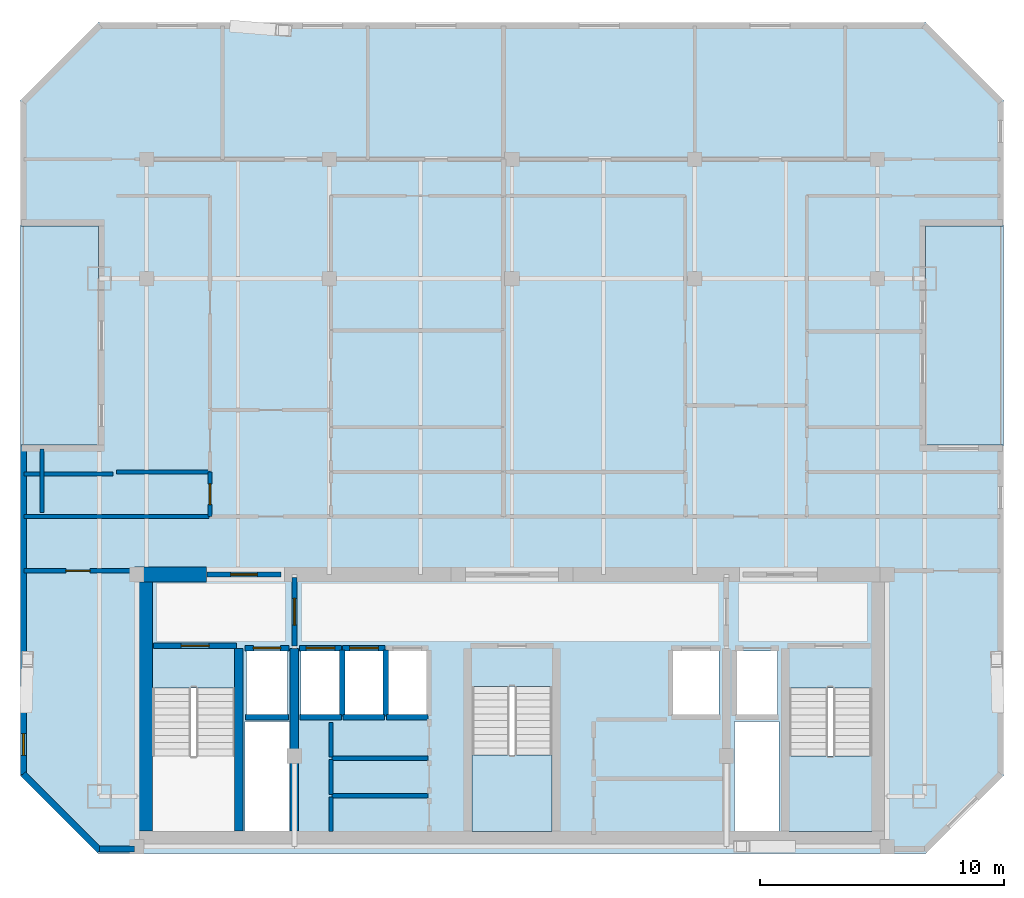
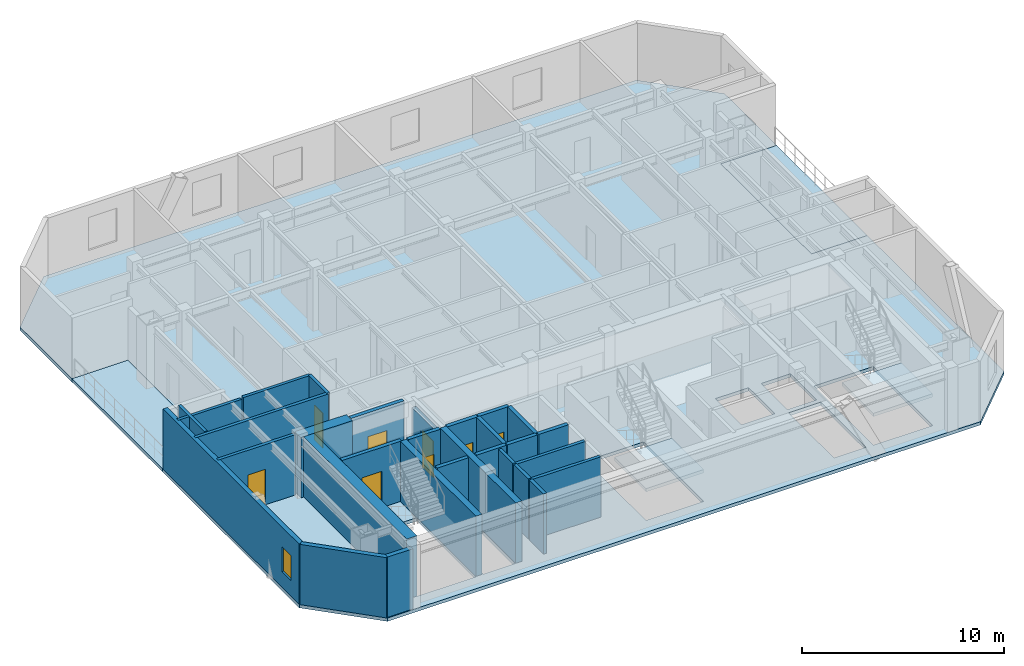
# One storey, part 2 of 7: 30 walls, 8 doors, 5 slabs, 1 window, 9 openings, 2 elements without a shape of their own.
"""IFC4 building model written with IfcOpenShell, lengths in metres."""

from ifc_helpers import new_model, si_unit, direction, frame, frame_2d, origin, place, context, subcontext, project, spatial, polyline, rectangle, outline, extrude, material, layer, layer_set, type_object, element, fill, aggregate, save


model = new_model("IFC4")

# Units and contexts
model_context = context("Model", 3, precision=1e-05, world=origin(), true_north=direction((0.0, 1.0)))
body_context = subcontext(model_context, "Body", "Model", "MODEL_VIEW")
ifc_project = project(units=[si_unit("LENGTHUNIT", "METRE"), si_unit("AREAUNIT", "SQUARE_METRE"), si_unit("VOLUMEUNIT", "CUBIC_METRE"), si_unit("PLANEANGLEUNIT", "RADIAN"), si_unit("MASSUNIT", "GRAM", prefix="KILO")], contexts=[model_context])

# Site, building, storey
site_placement = place(None, origin())
site = spatial("IfcSite", under=ifc_project, at=site_placement, CompositionType="ELEMENT")
building_placement = place(site_placement, origin())
building = spatial("IfcBuilding", under=site, at=building_placement, Name="Ventersveld Concourse Tower", CompositionType="ELEMENT")
storey_placement = place(building_placement, frame((0.0, 0.0, 292.60009765625)))
storey = spatial("IfcBuildingStorey", under=building, at=storey_placement, Name="L72", CompositionType="ELEMENT", Elevation=292.60009765625)

# Slabs
ifc_material_1 = material(Name="Concrete C50/60", Category="concrete")
ifc_layer_1 = layer(ifc_material_1, 0.199951171875)
ifc_layer_set_1 = layer_set([ifc_layer_1], Name="Concrete C50/60")
slab_type_1 = type_object("IfcSlabType", Name="SL-FLR-200", PredefinedType="FLOOR", material=ifc_layer_set_1)
slab_1_placement = place(storey_placement, frame((0.0, 0.0, -0.2001953125)))
element("IfcSlab", 1, at=slab_1_placement, inside=storey, type_object=slab_type_1, Name="L72 Composite Floor Slab", PredefinedType="FLOOR", context=body_context, shape_type="SweptSolid", body=[
    extrude(outline(polyline([(11.766357421875, 0.0), (45.733642578125, 0.0), (48.93359375, 3.199951171875), (48.93359375, 16.7578125), (45.733642578125, 16.7578125), (45.733642578125, 25.7578125), (48.93359375, 25.7578125), (48.93359375, 30.91552734375), (45.733642578125, 34.115478515625), (11.766357421875, 34.115478515625), (8.56640625, 30.91552734375), (8.56640625, 25.7578125), (11.766357421875, 25.7578125), (11.766357421875, 16.7578125), (8.56640625, 16.7578125), (8.56640625, 3.199951171875), (11.766357421875, 0.0)]), holes=[polyline([(13.97998046875, 6.794921875), (13.97998046875, 0.89990234375), (17.3798828125, 0.89990234375), (17.3798828125, 6.794921875), (13.97998046875, 6.794921875)]), polyline([(40.1201171875, 6.794921875), (40.1201171875, 0.89990234375), (43.52001953125, 0.89990234375), (43.52001953125, 6.794921875), (40.1201171875, 6.794921875)]), polyline([(27.10009765625, 6.844970703125), (27.10009765625, 0.89990234375), (30.39990234375, 0.89990234375), (30.39990234375, 6.844970703125), (27.10009765625, 6.844970703125)]), polyline([(17.85009765625, 5.699951171875), (19.530029296875, 5.699951171875), (19.530029296875, 8.300048828125), (17.85009765625, 8.300048828125), (17.85009765625, 5.699951171875)]), polyline([(37.969970703125, 5.699951171875), (39.64990234375, 5.699951171875), (39.64990234375, 8.300048828125), (37.969970703125, 8.300048828125), (37.969970703125, 5.699951171875)]), polyline([(35.35009765625, 5.699951171875), (37.25, 5.699951171875), (37.25, 8.300048828125), (35.35009765625, 8.300048828125), (35.35009765625, 5.699951171875)]), polyline([(20.090087890625, 5.699951171875), (21.68994140625, 5.699951171875), (21.68994140625, 8.300048828125), (20.090087890625, 8.300048828125), (20.090087890625, 5.699951171875)]), polyline([(21.8701171875, 5.699951171875), (23.469970703125, 5.699951171875), (23.469970703125, 8.300048828125), (21.8701171875, 8.300048828125), (21.8701171875, 5.699951171875)]), polyline([(23.64990234375, 5.699951171875), (25.25, 5.699951171875), (25.25, 8.300048828125), (23.64990234375, 8.300048828125), (23.64990234375, 5.699951171875)]), polyline([(17.780029296875, 0.919921875), (19.6201171875, 0.919921875), (19.6201171875, 5.419921875), (17.780029296875, 5.419921875), (17.780029296875, 0.919921875)]), polyline([(37.8798828125, 0.919921875), (39.719970703125, 0.919921875), (39.719970703125, 5.419921875), (37.8798828125, 5.419921875), (37.8798828125, 0.919921875)])]), origin(), (0.0, 0.0, 1.0), 0.2001953125),
])
slab_2_placement = place(storey_placement, frame((0.0, 0.0, -0.2001953125)))
element("IfcSlab", 2, at=slab_2_placement, inside=storey, type_object=slab_type_1, Name="L72 Outdoor Terrace Slab NOTCH-W", PredefinedType="FLOOR", context=body_context, shape_type="SweptSolid", body=[
    extrude(outline(polyline([(8.56640625, 16.7578125), (11.766357421875, 16.7578125), (11.766357421875, 25.7578125), (8.56640625, 25.7578125), (8.56640625, 16.7578125)])), origin(), (0.0, 0.0, 1.0), 0.2001953125),
])
slab_3_placement = place(storey_placement, frame((0.0, 0.0, -0.2001953125)))
element("IfcSlab", 3, at=slab_3_placement, inside=storey, type_object=slab_type_1, Name="L72 Outdoor Terrace Slab NOTCH-E", PredefinedType="FLOOR", context=body_context, shape_type="SweptSolid", body=[
    extrude(outline(polyline([(45.733642578125, 16.7578125), (48.93359375, 16.7578125), (48.93359375, 25.7578125), (45.733642578125, 25.7578125), (45.733642578125, 16.7578125)])), origin(), (0.0, 0.0, 1.0), 0.2001953125),
])

# Stair, slab
stair_type_1 = type_object("IfcStairType", Name="ST-DOG-160", PredefinedType="HALF_TURN_STAIR", material=ifc_material_1)
stair_1_placement = place(storey_placement, origin())
stair_1 = element("IfcStair", 4, at=stair_1_placement, inside=storey, type_object=stair_type_1, Name="L72 Protected Tower Escape Stair ST-02", PredefinedType="HALF_TURN_STAIR")
ifc_layer_2 = layer(ifc_material_1, 0.199951171875)
ifc_layer_set_2 = layer_set([ifc_layer_2], Name="Concrete C50/60")
slab_type_2 = type_object("IfcSlabType", Name="SL-LND-200", PredefinedType="LANDING", material=ifc_layer_set_2)
slab_4_placement = place(storey_placement, frame((0.0, 0.0, 1.724853515625)))
slab_4 = element("IfcSlab", 5, at=slab_4_placement, type_object=slab_type_2, Name="ST-02 landing 1", PredefinedType="LANDING", context=body_context, shape_type="SweptSolid", body=[
    extrude(outline(polyline([(40.1201171875, 4.0), (40.1201171875, 0.89990234375), (43.52001953125, 0.89990234375), (43.52001953125, 4.0), (40.1201171875, 4.0)])), origin(), (0.0, 0.0, 1.0), 0.199951171875),
])
aggregate(stair_1, [slab_4])

stair_type_2 = type_object("IfcStairType", Name="ST-DOG-155", PredefinedType="HALF_TURN_STAIR", material=ifc_material_1)
stair_2_placement = place(storey_placement, origin())
stair_2 = element("IfcStair", 6, at=stair_2_placement, inside=storey, type_object=stair_type_2, Name="L72 Protected Central Core Escape Stair ST-03", PredefinedType="HALF_TURN_STAIR")
slab_5_placement = place(storey_placement, frame((0.0, 0.0, 1.724853515625)))
slab_5 = element("IfcSlab", 7, at=slab_5_placement, type_object=slab_type_2, Name="ST-03 landing 1", PredefinedType="LANDING", context=body_context, shape_type="SweptSolid", body=[
    extrude(outline(polyline([(27.10009765625, 4.050048828125), (27.10009765625, 0.89990234375), (30.39990234375, 0.89990234375), (30.39990234375, 4.050048828125), (27.10009765625, 4.050048828125)])), origin(), (0.0, 0.0, 1.0), 0.199951171875),
])
aggregate(stair_2, [slab_5])

# Walls
ifc_layer_3 = layer(ifc_material_1, 0.35009765625)
ifc_layer_set_3 = layer_set([ifc_layer_3], Name="Concrete C50/60")
wall_type_1 = type_object("IfcWallType", Name="WL-CORE-350U", PredefinedType="SHEAR", material=ifc_layer_set_3)
for number, where, z_axis, x_axis, name in (
    (8, (17.5400390625, 0.919921875, 0.0), (0.0, 0.0, 1.0), (0.0, 1.0, 0.0), "L72 Core Internal Shear Web W-ST1-E"),
    (9, (19.820068359375, 0.919921875, 0.0), (0.0, 0.0, 1.0), (0.0, 1.0, 0.0), "L72 Core Internal Shear Web W-FF1-E"),
):
    element("IfcWall", number, at=place(storey_placement, frame(where, z_axis=z_axis, x_axis=x_axis)), inside=storey, type_object=wall_type_1, Name=name, PredefinedType="SHEAR", context=body_context, shape_type="SweptSolid", body=[
        extrude(rectangle(XDim=7.5, YDim=0.35009765625, at=frame_2d((3.75, 0.0))), origin(), (0.0, 0.0, 1.0), 3.64990234375),
    ])
ifc_layer_4 = layer(ifc_material_1, 0.60009765625)
ifc_layer_set_4 = layer_set([ifc_layer_4], Name="Concrete C50/60")
wall_type_2 = type_object("IfcWallType", Name="WL-CORE-600", PredefinedType="SHEAR", material=ifc_layer_set_4)
wall_1_placement = place(storey_placement, frame((13.699951171875, 0.919921875, 0.0), z_axis=(0.0, 0.0, 1.0), x_axis=(0.0, 1.0, 0.0)))
element("IfcWall", 10, at=wall_1_placement, inside=storey, type_object=wall_type_2, Name="L72 Rear Core West Shear Wall", PredefinedType="SHEAR", context=body_context, shape_type="SweptSolid", body=[
    extrude(rectangle(XDim=10.530029296875, YDim=0.60009765625, at=frame_2d((5.26513671875, 0.0))), origin(), (0.0, 0.0, 1.0), 3.64990234375),
])
wall_2_placement = place(storey_placement, frame((13.25, 11.449951171875, 0.0), z_axis=(0.0, 0.0, 1.0), x_axis=(1.0, 0.0, 0.0)))
element("IfcWall", 11, at=wall_2_placement, inside=storey, type_object=wall_type_2, Name="L72 Rear Core North Shear Wall NW", PredefinedType="SHEAR", context=body_context, shape_type="SweptSolid", body=[
    extrude(rectangle(XDim=2.949951171875, YDim=0.60009765625, at=frame_2d((1.47509765625, 0.0))), origin(), (0.0, 0.0, 1.0), 3.64990234375),
])
ifc_material_2 = material(Name="Fire-rated autoclaved aerated masonry blockwork", Category="masonry")
ifc_layer_5 = layer(ifc_material_2, 0.179931640625)
ifc_layer_set_5 = layer_set([ifc_layer_5], Name="Fire-rated autoclaved aerated masonry blockwork")
wall_type_3 = type_object("IfcWallType", Name="WL-CORR-180", PredefinedType="PARTITIONING", material=ifc_layer_set_5)
wall_3_placement = place(storey_placement, frame((21.360107421875, 2.360107421875, 0.0), z_axis=(0.0, 0.0, 1.0), x_axis=(1.0, 0.0, 0.0)))
element("IfcWall", 12, at=wall_3_placement, inside=storey, type_object=wall_type_3, Name="L72 Core Top Wall SP-L72-RECB1S", PredefinedType="PARTITIONING", context=body_context, shape_type="SweptSolid", body=[
    extrude(rectangle(XDim=3.93994140625, YDim=0.179931640625, at=frame_2d((1.969970703125, 0.0))), origin(), (0.0, 0.0, 1.0), 3.64990234375),
])
wall_4_placement = place(storey_placement, frame((21.320068359375, 0.909912109375, 0.0), z_axis=(0.0, 0.0, 1.0), x_axis=(0.0, 1.0, 0.0)))
element("IfcWall", 13, at=wall_4_placement, inside=storey, type_object=wall_type_3, Name="L72 Core West Wall SP-L72-RECB1S", PredefinedType="PARTITIONING", context=body_context, shape_type="SweptSolid", body=[
    extrude(rectangle(XDim=1.41015625, YDim=0.179931640625, at=frame_2d((0.705078125, 0.0))), origin(), (0.0, 0.0, 1.0), 3.64990234375),
])
wall_5_placement = place(storey_placement, frame((21.360107421875, 3.89990234375, 0.0), z_axis=(0.0, 0.0, 1.0), x_axis=(1.0, 0.0, 0.0)))
element("IfcWall", 14, at=wall_5_placement, inside=storey, type_object=wall_type_3, Name="L72 Core Top Wall SP-L72-RECB1M", PredefinedType="PARTITIONING", context=body_context, shape_type="SweptSolid", body=[
    extrude(rectangle(XDim=3.93994140625, YDim=0.179931640625, at=frame_2d((1.969970703125, 0.0))), origin(), (0.0, 0.0, 1.0), 3.64990234375),
])
wall_6_placement = place(storey_placement, frame((21.320068359375, 2.419921875, 0.0), z_axis=(0.0, 0.0, 1.0), x_axis=(0.0, 1.0, 0.0)))
element("IfcWall", 15, at=wall_6_placement, inside=storey, type_object=wall_type_3, Name="L72 Core West Wall SP-L72-RECB1M", PredefinedType="PARTITIONING", context=body_context, shape_type="SweptSolid", body=[
    extrude(rectangle(XDim=1.440185546875, YDim=0.179931640625, at=frame_2d((0.72021484375, 0.0))), origin(), (0.0, 0.0, 1.0), 3.64990234375),
])
wall_7_placement = place(storey_placement, frame((21.320068359375, 3.9599609375, 0.0), z_axis=(0.0, 0.0, 1.0), x_axis=(0.0, 1.0, 0.0)))
element("IfcWall", 16, at=wall_7_placement, inside=storey, type_object=wall_type_3, Name="L72 Core West Wall SP-L72-RECB1N", PredefinedType="PARTITIONING", context=body_context, shape_type="SweptSolid", body=[
    extrude(rectangle(XDim=1.419921875, YDim=0.179931640625, at=frame_2d((0.7099609375, 0.0))), origin(), (0.0, 0.0, 1.0), 3.64990234375),
])

# Wall, opening, door
wall_8_placement = place(storey_placement, frame((8.7158203125, 11.60009765625, 0.0), z_axis=(0.0, 0.0, 1.0), x_axis=(1.0, 0.0, 0.0)))
wall_8 = element("IfcWall", 17, at=wall_8_placement, inside=storey, type_object=wall_type_3, Name="L72 Interior Partition SP-L72-SW-GAL-SP-L72-COR", PredefinedType="PARTITIONING", context=body_context, shape_type="SweptSolid", body=[
    extrude(rectangle(XDim=4.42919921875, YDim=0.179931640625, at=frame_2d((2.214599609375, 0.0))), origin(), (0.0, 0.0, 1.0), 3.64990234375),
])
opening_1_placement = place(wall_8_placement, frame((1.714599609375, 0.0, 0.0)))
opening_1 = element("IfcOpeningElement", 18, at=opening_1_placement, cuts=wall_8, Name="Opening FD3", PredefinedType="OPENING", context=body_context, shape_type="SweptSolid", body=[
    extrude(rectangle(XDim=1.0, YDim=2.14990234375, at=frame_2d((0.5, 1.074951171875))), frame((0.0, 0.10009765625, 0.0), z_axis=(0.0, -1.0, 0.0), x_axis=(1.0, 0.0, 0.0)), (0.0, 0.0, 1.0), 0.199951171875),
])
ifc_material_3 = material(Name="Solid-core hardwood veneer timber", Category="wood")
door_type_1 = type_object("IfcDoorType", Name="DR-FLAT-100", OperationType="NOTDEFINED", PredefinedType="DOOR", material=ifc_material_3)
door_1_placement = place(opening_1_placement, origin())
door_1 = element("IfcDoor", 19, at=door_1_placement, inside=storey, type_object=door_type_1, Name="L72 Interior Door SP-L72-SW-GAL to SP-L72-COR (D-L72-3341)", OperationType="SINGLE_SWING_LEFT", OverallHeight=2.14990234375, OverallWidth=1.0, PredefinedType="DOOR", context=body_context, shape_type="SweptSolid", body=[
    extrude(rectangle(XDim=1.0, YDim=2.14990234375, at=frame_2d((0.5, 1.074951171875))), frame((0.0, 0.02490234375, 0.0), z_axis=(0.0, -1.0, 0.0), x_axis=(1.0, 0.0, 0.0)), (0.0, 0.0, 1.0), 0.050048828125),
])
fill(opening_1, door_1)

# Walls
wall_9_placement = place(storey_placement, frame((8.7158203125, 13.830078125, 0.0), z_axis=(0.0, 0.0, 1.0), x_axis=(1.0, 0.0, 0.0)))
element("IfcWall", 20, at=wall_9_placement, inside=storey, type_object=wall_type_3, Name="L72 Interior Partition SP-L72-COR-SP-L72-72N1-BATH", PredefinedType="PARTITIONING", context=body_context, shape_type="SweptSolid", body=[
    extrude(rectangle(XDim=7.60205078125, YDim=0.179931640625, at=frame_2d((3.801025390625, 0.0))), origin(), (0.0, 0.0, 1.0), 3.64990234375),
])
ifc_layer_6 = layer(ifc_material_2, 0.219970703125)
ifc_layer_set_6 = layer_set([ifc_layer_6], Name="Fire-rated autoclaved aerated masonry blockwork")
wall_type_4 = type_object("IfcWallType", Name="WL-HOIST-220", PredefinedType="SOLIDWALL", material=ifc_layer_set_6)
wall_10_placement = place(storey_placement, frame((17.800048828125, 5.590087890625, 0.0), z_axis=(0.0, 0.0, 1.0), x_axis=(1.0, 0.0, 0.0)))
element("IfcWall", 21, at=wall_10_placement, inside=storey, type_object=wall_type_4, Name="L72 Lift Hoistway Back Wall FFL-01", PredefinedType="SOLIDWALL", context=body_context, shape_type="SweptSolid", body=[
    extrude(rectangle(XDim=1.780029296875, YDim=0.219970703125, at=frame_2d((0.89013671875, 0.0))), origin(), (0.0, 0.0, 1.0), 3.64990234375),
])

# Wall, opening, door
wall_11_placement = place(storey_placement, frame((17.780029296875, 8.429931640625, 0.0), z_axis=(0.0, 0.0, 1.0), x_axis=(1.0, 0.0, 0.0)))
wall_11 = element("IfcWall", 22, at=wall_11_placement, inside=storey, type_object=wall_type_4, Name="L72 Lift Hoistway Front Wall FFL-01", PredefinedType="SOLIDWALL", context=body_context, shape_type="SweptSolid", body=[
    extrude(rectangle(XDim=1.820068359375, YDim=0.219970703125, at=frame_2d((0.91015625, 0.0))), origin(), (0.0, 0.0, 1.0), 3.64990234375),
])
opening_2_placement = place(wall_11_placement, frame((0.35009765625, 0.0, 0.0)))
opening_2 = element("IfcOpeningElement", 23, at=opening_2_placement, cuts=wall_11, Name="Opening LD1", PredefinedType="OPENING", context=body_context, shape_type="SweptSolid", body=[
    extrude(rectangle(XDim=1.1201171875, YDim=2.25, at=frame_2d((0.56005859375, 1.125))), frame((0.0, 0.1201171875, 0.0), z_axis=(0.0, -1.0, 0.0), x_axis=(1.0, 0.0, 0.0)), (0.0, 0.0, 1.0), 0.239990234375),
])
ifc_material_4 = material(Name="Brushed stainless steel 316", Category="steel")
door_type_2 = type_object("IfcDoorType", Name="LD-FF-112", OperationType="SLIDING_TO_LEFT", PredefinedType="DOOR", material=ifc_material_4)
door_2_placement = place(opening_2_placement, origin())
door_2 = element("IfcDoor", 24, at=door_2_placement, inside=storey, type_object=door_type_2, Name="L72 Lift landing door FFL-01 (LD-L72-FFL-01)", OperationType="SLIDING_TO_RIGHT", OverallHeight=2.25, OverallWidth=1.1201171875, PredefinedType="DOOR", context=body_context, shape_type="SweptSolid", body=[
    extrude(rectangle(XDim=1.1201171875, YDim=2.25, at=frame_2d((0.56005859375, 1.125))), frame((0.0, 0.02490234375, 0.0), z_axis=(0.0, -1.0, 0.0), x_axis=(1.0, 0.0, 0.0)), (0.0, 0.0, 1.0), 0.050048828125),
])
fill(opening_2, door_2)

# Walls
wall_12_placement = place(storey_placement, frame((20.0400390625, 5.590087890625, 0.0), z_axis=(0.0, 0.0, 1.0), x_axis=(1.0, 0.0, 0.0)))
element("IfcWall", 25, at=wall_12_placement, inside=storey, type_object=wall_type_4, Name="L72 Lift Hoistway Back Wall PH-01", PredefinedType="SOLIDWALL", context=body_context, shape_type="SweptSolid", body=[
    extrude(rectangle(XDim=1.699951171875, YDim=0.219970703125, at=frame_2d((0.85009765625, 0.0))), origin(), (0.0, 0.0, 1.0), 3.64990234375),
])
wall_13_placement = place(storey_placement, frame((21.780029296875, 5.64990234375, 0.0), z_axis=(0.0, 0.0, 1.0), x_axis=(0.0, 1.0, 0.0)))
element("IfcWall", 26, at=wall_13_placement, inside=storey, type_object=wall_type_4, Name="L72 Lift Hoistway Side Wall PH-01E", PredefinedType="SOLIDWALL", context=body_context, shape_type="SweptSolid", body=[
    extrude(rectangle(XDim=2.7001953125, YDim=0.219970703125, at=frame_2d((1.35009765625, 0.0))), origin(), (0.0, 0.0, 1.0), 3.64990234375),
])

# Wall, opening, door
wall_14_placement = place(storey_placement, frame((20.02001953125, 8.429931640625, 0.0), z_axis=(0.0, 0.0, 1.0), x_axis=(1.0, 0.0, 0.0)))
wall_14 = element("IfcWall", 27, at=wall_14_placement, inside=storey, type_object=wall_type_4, Name="L72 Lift Hoistway Front Wall PH-01", PredefinedType="SOLIDWALL", context=body_context, shape_type="SweptSolid", body=[
    extrude(rectangle(XDim=1.739990234375, YDim=0.219970703125, at=frame_2d((0.8701171875, 0.0))), origin(), (0.0, 0.0, 1.0), 3.64990234375),
])
opening_3_placement = place(wall_14_placement, frame((0.280029296875, 0.0, 0.0)))
opening_3 = element("IfcOpeningElement", 28, at=opening_3_placement, cuts=wall_14, Name="Opening LD2", PredefinedType="OPENING", context=body_context, shape_type="SweptSolid", body=[
    extrude(rectangle(XDim=1.179931640625, YDim=2.199951171875, at=frame_2d((0.58984375, 1.10009765625))), frame((0.0, 0.1201171875, 0.0), z_axis=(0.0, -1.0, 0.0), x_axis=(1.0, 0.0, 0.0)), (0.0, 0.0, 1.0), 0.239990234375),
])
door_type_3 = type_object("IfcDoorType", Name="LD-PAX-118", OperationType="SLIDING_TO_LEFT", PredefinedType="DOOR", material=ifc_material_4)
door_3_placement = place(opening_3_placement, origin())
door_3 = element("IfcDoor", 29, at=door_3_placement, inside=storey, type_object=door_type_3, Name="L72 Lift landing door PH-01 (LD-L72-PH-01)", OperationType="SLIDING_TO_LEFT", OverallHeight=2.199951171875, OverallWidth=1.179931640625, PredefinedType="DOOR", context=body_context, shape_type="SweptSolid", body=[
    extrude(rectangle(XDim=1.179931640625, YDim=2.199951171875, at=frame_2d((0.58984375, 1.10009765625))), frame((0.0, 0.02490234375, 0.0), z_axis=(0.0, -1.0, 0.0), x_axis=(1.0, 0.0, 0.0)), (0.0, 0.0, 1.0), 0.050048828125),
])
fill(opening_3, door_3)

# Walls
wall_15_placement = place(storey_placement, frame((21.820068359375, 5.590087890625, 0.0), z_axis=(0.0, 0.0, 1.0), x_axis=(1.0, 0.0, 0.0)))
element("IfcWall", 30, at=wall_15_placement, inside=storey, type_object=wall_type_4, Name="L72 Lift Hoistway Back Wall PH-02", PredefinedType="SOLIDWALL", context=body_context, shape_type="SweptSolid", body=[
    extrude(rectangle(XDim=1.699951171875, YDim=0.219970703125, at=frame_2d((0.85009765625, 0.0))), origin(), (0.0, 0.0, 1.0), 3.64990234375),
])
wall_16_placement = place(storey_placement, frame((23.56005859375, 5.64990234375, 0.0), z_axis=(0.0, 0.0, 1.0), x_axis=(0.0, 1.0, 0.0)))
element("IfcWall", 31, at=wall_16_placement, inside=storey, type_object=wall_type_4, Name="L72 Lift Hoistway Side Wall PH-02E", PredefinedType="SOLIDWALL", context=body_context, shape_type="SweptSolid", body=[
    extrude(rectangle(XDim=2.7001953125, YDim=0.219970703125, at=frame_2d((1.35009765625, 0.0))), origin(), (0.0, 0.0, 1.0), 3.64990234375),
])

# Wall, opening, door
wall_17_placement = place(storey_placement, frame((21.800048828125, 8.429931640625, 0.0), z_axis=(0.0, 0.0, 1.0), x_axis=(1.0, 0.0, 0.0)))
wall_17 = element("IfcWall", 32, at=wall_17_placement, inside=storey, type_object=wall_type_4, Name="L72 Lift Hoistway Front Wall PH-02", PredefinedType="SOLIDWALL", context=body_context, shape_type="SweptSolid", body=[
    extrude(rectangle(XDim=1.739990234375, YDim=0.219970703125, at=frame_2d((0.8701171875, 0.0))), origin(), (0.0, 0.0, 1.0), 3.64990234375),
])
opening_4_placement = place(wall_17_placement, frame((0.280029296875, 0.0, 0.0)))
opening_4 = element("IfcOpeningElement", 33, at=opening_4_placement, cuts=wall_17, Name="Opening LD2", PredefinedType="OPENING", context=body_context, shape_type="SweptSolid", body=[
    extrude(rectangle(XDim=1.179931640625, YDim=2.199951171875, at=frame_2d((0.58984375, 1.10009765625))), frame((0.0, 0.1201171875, 0.0), z_axis=(0.0, -1.0, 0.0), x_axis=(1.0, 0.0, 0.0)), (0.0, 0.0, 1.0), 0.239990234375),
])
door_4_placement = place(opening_4_placement, origin())
door_4 = element("IfcDoor", 34, at=door_4_placement, inside=storey, type_object=door_type_3, Name="L72 Lift landing door PH-02 (LD-L72-PH-02)", OperationType="SLIDING_TO_RIGHT", OverallHeight=2.199951171875, OverallWidth=1.179931640625, PredefinedType="DOOR", context=body_context, shape_type="SweptSolid", body=[
    extrude(rectangle(XDim=1.179931640625, YDim=2.199951171875, at=frame_2d((0.58984375, 1.10009765625))), frame((0.0, 0.02490234375, 0.0), z_axis=(0.0, -1.0, 0.0), x_axis=(1.0, 0.0, 0.0)), (0.0, 0.0, 1.0), 0.050048828125),
])
fill(opening_4, door_4)

# Wall
wall_18_placement = place(storey_placement, frame((23.60009765625, 5.590087890625, 0.0), z_axis=(0.0, 0.0, 1.0), x_axis=(1.0, 0.0, 0.0)))
element("IfcWall", 35, at=wall_18_placement, inside=storey, type_object=wall_type_4, Name="L72 Lift Hoistway Back Wall PH-03", PredefinedType="SOLIDWALL", context=body_context, shape_type="SweptSolid", body=[
    extrude(rectangle(XDim=1.699951171875, YDim=0.219970703125, at=frame_2d((0.85009765625, 0.0))), origin(), (0.0, 0.0, 1.0), 3.64990234375),
])

# Wall, opening, door
wall_19_placement = place(storey_placement, frame((14.0400390625, 8.52001953125, 0.0), z_axis=(0.0, 0.0, 1.0), x_axis=(1.0, 0.0, 0.0)))
wall_19 = element("IfcWall", 36, at=wall_19_placement, inside=storey, type_object=wall_type_4, Name="L72 Escape Stair ST01 Fire Wall", PredefinedType="SOLIDWALL", context=body_context, shape_type="SweptSolid", body=[
    extrude(rectangle(XDim=3.39990234375, YDim=0.219970703125, at=frame_2d((1.699951171875, 0.0))), origin(), (0.0, 0.0, 1.0), 3.64990234375),
])
opening_5_placement = place(wall_19_placement, frame((1.125, 0.0, 0.0)))
opening_5 = element("IfcOpeningElement", 37, at=opening_5_placement, cuts=wall_19, Name="Opening FD1", PredefinedType="OPENING", context=body_context, shape_type="SweptSolid", body=[
    extrude(rectangle(XDim=1.14990234375, YDim=2.199951171875, at=frame_2d((0.574951171875, 1.10009765625))), frame((0.0, 0.1201171875, 0.0), z_axis=(0.0, -1.0, 0.0), x_axis=(1.0, 0.0, 0.0)), (0.0, 0.0, 1.0), 0.239990234375),
])
ifc_material_5 = material(Name="Galvanised painted steel", Category="steel")
door_type_4 = type_object("IfcDoorType", Name="DR-STAIR-115", OperationType="NOTDEFINED", PredefinedType="DOOR", material=ifc_material_5)
door_5_placement = place(opening_5_placement, origin())
door_5 = element("IfcDoor", 38, at=door_5_placement, inside=storey, type_object=door_type_4, Name="L72 Escape Stair Door ST01 (SD-L72-3328)", OperationType="SINGLE_SWING_LEFT", OverallHeight=2.199951171875, OverallWidth=1.14990234375, PredefinedType="DOOR", context=body_context, shape_type="SweptSolid", body=[
    extrude(rectangle(XDim=1.14990234375, YDim=2.199951171875, at=frame_2d((0.574951171875, 1.10009765625))), frame((0.0, 0.02490234375, 0.0), z_axis=(0.0, -1.0, 0.0), x_axis=(1.0, 0.0, 0.0)), (0.0, 0.0, 1.0), 0.050048828125),
])
fill(opening_5, door_5)

wall_20_placement = place(storey_placement, frame((19.820068359375, 8.52001953125, 0.0), z_axis=(0.0, 0.0, 1.0), x_axis=(0.0, 1.0, 0.0)))
wall_20 = element("IfcWall", 39, at=wall_20_placement, inside=storey, type_object=wall_type_4, Name="L72 Firefighting Lobby Smoke-Stop Wall FFLW-SEP", PredefinedType="SOLIDWALL", context=body_context, shape_type="SweptSolid", body=[
    extrude(rectangle(XDim=2.800048828125, YDim=0.219970703125, at=frame_2d((1.39990234375, 0.0))), origin(), (0.0, 0.0, 1.0), 3.10546875),
])
opening_6_placement = place(wall_20_placement, frame((0.85009765625, 0.0, 0.0)))
opening_6 = element("IfcOpeningElement", 40, at=opening_6_placement, cuts=wall_20, Name="Opening FD2", PredefinedType="OPENING", context=body_context, shape_type="SweptSolid", body=[
    extrude(rectangle(XDim=1.10009765625, YDim=2.199951171875, at=frame_2d((0.550048828125, 1.10009765625))), frame((0.0, 0.1201171875, 0.0), z_axis=(0.0, -1.0, 0.0), x_axis=(1.0, 0.0, 0.0)), (0.0, 0.0, 1.0), 0.239990234375),
])
door_type_5 = type_object("IfcDoorType", Name="DR-FFL-110", OperationType="NOTDEFINED", PredefinedType="DOOR", material=ifc_material_5)
door_6_placement = place(opening_6_placement, origin())
door_6 = element("IfcDoor", 41, at=door_6_placement, inside=storey, type_object=door_type_5, Name="L72 Firefighting Lobby Door FFLW-SEP (FD-L72-3331)", OperationType="SINGLE_SWING_LEFT", OverallHeight=2.199951171875, OverallWidth=1.10009765625, PredefinedType="DOOR", context=body_context, shape_type="SweptSolid", body=[
    extrude(rectangle(XDim=1.10009765625, YDim=2.199951171875, at=frame_2d((0.550048828125, 1.10009765625))), frame((0.0, 0.02490234375, 0.0), z_axis=(0.0, -1.0, 0.0), x_axis=(1.0, 0.0, 0.0)), (0.0, 0.0, 1.0), 0.050048828125),
])
fill(opening_6, door_6)

wall_21_placement = place(storey_placement, frame((16.22998046875, 11.449951171875, 0.0), z_axis=(0.0, 0.0, 1.0), x_axis=(1.0, 0.0, 0.0)))
wall_21 = element("IfcWall", 42, at=wall_21_placement, inside=storey, type_object=wall_type_4, Name="L72 Core North Fire Portal FFLW-OUT", PredefinedType="SOLIDWALL", context=body_context, shape_type="SweptSolid", body=[
    extrude(rectangle(XDim=3.0400390625, YDim=0.219970703125, at=frame_2d((1.52001953125, 0.0))), origin(), (0.0, 0.0, 1.0), 3.64990234375),
])
opening_7_placement = place(wall_21_placement, frame((0.969970703125, 0.0, 0.0)))
opening_7 = element("IfcOpeningElement", 43, at=opening_7_placement, cuts=wall_21, Name="Opening FD2", PredefinedType="OPENING", context=body_context, shape_type="SweptSolid", body=[
    extrude(rectangle(XDim=1.10009765625, YDim=2.199951171875, at=frame_2d((0.550048828125, 1.10009765625))), frame((0.0, 0.1201171875, 0.0), z_axis=(0.0, -1.0, 0.0), x_axis=(1.0, 0.0, 0.0)), (0.0, 0.0, 1.0), 0.239990234375),
])
door_7_placement = place(opening_7_placement, origin())
door_7 = element("IfcDoor", 44, at=door_7_placement, inside=storey, type_object=door_type_5, Name="L72 Core Lobby Fire Door FFLW-OUT (FD-L72-3333)", OperationType="SINGLE_SWING_RIGHT", OverallHeight=2.199951171875, OverallWidth=1.10009765625, PredefinedType="DOOR", context=body_context, shape_type="SweptSolid", body=[
    extrude(rectangle(XDim=1.10009765625, YDim=2.199951171875, at=frame_2d((0.550048828125, 1.10009765625))), frame((0.0, 0.02490234375, 0.0), z_axis=(0.0, -1.0, 0.0), x_axis=(1.0, 0.0, 0.0)), (0.0, 0.0, 1.0), 0.050048828125),
])
fill(opening_7, door_7)

# Wall
ifc_material_6 = material(Name="Precast concrete C45/55", Category="concrete")
ifc_layer_7 = layer(ifc_material_6, 0.260009765625)
ifc_layer_set_7 = layer_set([ifc_layer_7], Name="Precast concrete C45/55")
wall_type_5 = type_object("IfcWallType", Name="WL-PREC-260", PredefinedType="SOLIDWALL", material=ifc_layer_set_7)
wall_22_placement = place(storey_placement, frame((11.806396484375, 0.179931640625, 0.0), z_axis=(0.0, 0.0, 1.0), x_axis=(1.0, 0.0, 0.0)))
element("IfcWall", 45, at=wall_22_placement, inside=storey, type_object=wall_type_5, Name="L72 South-West Flank Precast Wall", PredefinedType="SOLIDWALL", context=body_context, shape_type="SweptSolid", body=[
    extrude(rectangle(XDim=1.443603515625, YDim=0.260009765625, at=frame_2d((0.7216796875, 0.0))), origin(), (0.0, 0.0, 1.0), 3.64990234375),
])

# Wall, opening, window
wall_23_placement = place(storey_placement, frame((8.6962890625, 16.7177734375, 0.0), z_axis=(0.0, 0.0, 1.0), x_axis=(0.0, -1.0, 0.0)))
wall_23 = element("IfcWall", 46, at=wall_23_placement, inside=storey, type_object=wall_type_5, Name="L72 Highveld Precast Facade Wall E15", PredefinedType="SOLIDWALL", context=body_context, shape_type="SweptSolid", body=[
    extrude(rectangle(XDim=13.477783203125, YDim=0.260009765625, at=frame_2d((6.73876953125, 0.0))), origin(), (0.0, 0.0, 1.0), 3.64990234375),
])
opening_8_placement = place(wall_23_placement, frame((11.7978515625, 0.0, 0.949951171875)))
opening_8 = element("IfcOpeningElement", 47, at=opening_8_placement, cuts=wall_23, Name="Opening W4", PredefinedType="OPENING", context=body_context, shape_type="SweptSolid", body=[
    extrude(rectangle(XDim=0.89990234375, YDim=1.5, at=frame_2d((0.449951171875, 0.75))), frame((0.0, 0.14013671875, 0.0), z_axis=(0.0, -1.0, 0.0), x_axis=(1.0, 0.0, 0.0)), (0.0, 0.0, 1.0), 0.280029296875),
])
ifc_material_7 = material(Name="Tempered acoustic Low-E IGU", Category="glass")
window_type = type_object("IfcWindowType", Name="WIN-090x150", PartitioningType="SINGLE_PANEL", PredefinedType="WINDOW", material=ifc_material_7)
window_placement = place(opening_8_placement, origin())
window = element("IfcWindow", 48, at=window_placement, inside=storey, type_object=window_type, Name="L72 Punched Low-E Window W-1023", OverallHeight=1.5, OverallWidth=0.89990234375, PartitioningType="SINGLE_PANEL", PredefinedType="WINDOW", context=body_context, shape_type="SweptSolid", body=[
    extrude(rectangle(XDim=0.89990234375, YDim=1.5, at=frame_2d((0.449951171875, 0.75))), frame((0.0, 0.030029296875, 0.0), z_axis=(0.0, -1.0, 0.0), x_axis=(1.0, 0.0, 0.0)), (0.0, 0.0, 1.0), 0.06005859375),
])
fill(opening_8, window)

# Wall
wall_24_placement = place(storey_placement, frame((8.6865234375, 3.263671875, 0.0), z_axis=(0.0, 0.0, 1.0), x_axis=(0.707106781187, -0.707106781187, 0.0)))
element("IfcWall", 49, at=wall_24_placement, inside=storey, type_object=wall_type_5, Name="L72 Highveld Precast Facade Wall E16", PredefinedType="SOLIDWALL", context=body_context, shape_type="SweptSolid", body=[
    extrude(rectangle(XDim=4.445556640625, YDim=0.260009765625, at=frame_2d((2.22265625, 0.0))), origin(), (0.0, 0.0, 1.0), 3.64990234375),
])

# Wall, opening, door
ifc_material_8 = material(Name="Autoclaved aerated masonry blockwork", Category="masonry")
ifc_layer_8 = layer(ifc_material_8, 0.1650390625)
ifc_layer_set_8 = layer_set([ifc_layer_8], Name="Autoclaved aerated masonry blockwork")
wall_type_6 = type_object("IfcWallType", Name="WL-WET-165", PredefinedType="PLUMBINGWALL", material=ifc_layer_set_8)
wall_25_placement = place(storey_placement, frame((16.352783203125, 13.824951171875, 0.0), z_axis=(0.0, 0.0, 1.0), x_axis=(0.0, 1.0, 0.0)))
wall_25 = element("IfcWall", 50, at=wall_25_placement, inside=storey, type_object=wall_type_6, Name="L72 Interior Partition SP-L72-72N1-FOY-SP-L72-72N1-BATH", PredefinedType="PLUMBINGWALL", context=body_context, shape_type="SweptSolid", body=[
    extrude(rectangle(XDim=1.840087890625, YDim=0.1650390625, at=frame_2d((0.919921875, 0.0))), origin(), (0.0, 0.0, 1.0), 3.64990234375),
])
opening_9_placement = place(wall_25_placement, frame((0.4951171875, 0.0, 0.0)))
opening_9 = element("IfcOpeningElement", 51, at=opening_9_placement, cuts=wall_25, Name="Opening ID2", PredefinedType="OPENING", context=body_context, shape_type="SweptSolid", body=[
    extrude(rectangle(XDim=0.85009765625, YDim=2.10009765625, at=frame_2d((0.425048828125, 1.050048828125))), frame((0.0, 0.092529296875, 0.0), z_axis=(0.0, -1.0, 0.0), x_axis=(1.0, 0.0, 0.0)), (0.0, 0.0, 1.0), 0.18505859375),
])
door_type_6 = type_object("IfcDoorType", Name="DR-BATH-085", OperationType="NOTDEFINED", PredefinedType="DOOR", material=ifc_material_3)
door_8_placement = place(opening_9_placement, origin())
door_8 = element("IfcDoor", 52, at=door_8_placement, inside=storey, type_object=door_type_6, Name="L72 Interior Door SP-L72-72N1-FOY to SP-L72-72N1-BATH (D-L72-3346)", OperationType="SINGLE_SWING_RIGHT", OverallHeight=2.10009765625, OverallWidth=0.85009765625, PredefinedType="DOOR", context=body_context, shape_type="SweptSolid", body=[
    extrude(rectangle(XDim=0.85009765625, YDim=2.10009765625, at=frame_2d((0.425048828125, 1.050048828125))), frame((0.0, 0.02490234375, 0.0), z_axis=(0.0, -1.0, 0.0), x_axis=(1.0, 0.0, 0.0)), (0.0, 0.0, 1.0), 0.050048828125),
])
fill(opening_9, door_8)

# Walls
wall_26_placement = place(storey_placement, frame((12.511474609375, 15.659912109375, 0.0), z_axis=(0.0, 0.0, 1.0), x_axis=(1.0, 0.0, 0.0)))
element("IfcWall", 53, at=wall_26_placement, inside=storey, type_object=wall_type_6, Name="L72 Interior Partition SP-L72-72N1-BATH-SP-L72-72N1-OFFL0", PredefinedType="PLUMBINGWALL", context=body_context, shape_type="SweptSolid", body=[
    extrude(rectangle(XDim=3.846435546875, YDim=0.1650390625, at=frame_2d((1.92333984375, 0.0))), origin(), (0.0, 0.0, 1.0), 3.64990234375),
])
wall_27_placement = place(storey_placement, frame((8.7158203125, 15.570068359375, 0.0), z_axis=(0.0, 0.0, 1.0), x_axis=(1.0, 0.0, 0.0)))
element("IfcWall", 54, at=wall_27_placement, inside=storey, type_object=wall_type_6, Name="L72 Room Enclosure Wall SP-L72-72N1-BATH", PredefinedType="PLUMBINGWALL", context=body_context, shape_type="SweptSolid", body=[
    extrude(rectangle(XDim=3.64697265625, YDim=0.1650390625, at=frame_2d((1.823486328125, 0.0))), origin(), (0.0, 0.0, 1.0), 3.64990234375),
])
wall_28_placement = place(storey_placement, frame((9.4462890625, 13.9951171875, 0.0), z_axis=(0.0, 0.0, 1.0), x_axis=(0.0, 1.0, 0.0)))
element("IfcWall", 55, at=wall_28_placement, inside=storey, type_object=wall_type_6, Name="L72 Room Enclosure Wall SP-L72-72N1-BATH", PredefinedType="PLUMBINGWALL", context=body_context, shape_type="SweptSolid", body=[
    extrude(rectangle(XDim=2.61328125, YDim=0.1650390625, at=frame_2d((1.306640625, 0.0))), origin(), (0.0, 0.0, 1.0), 3.64990234375),
])

save(model, "model.ifc")
